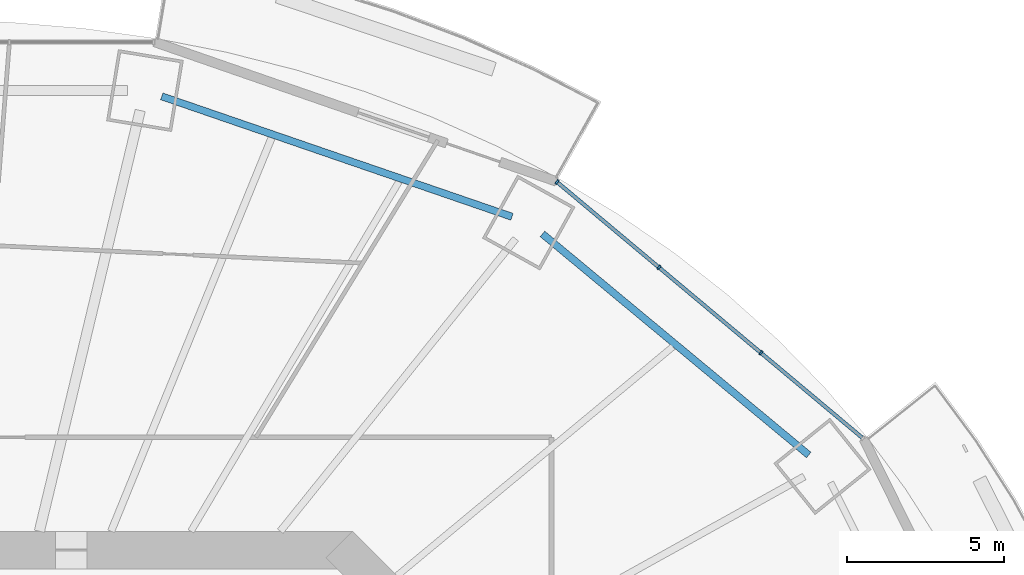
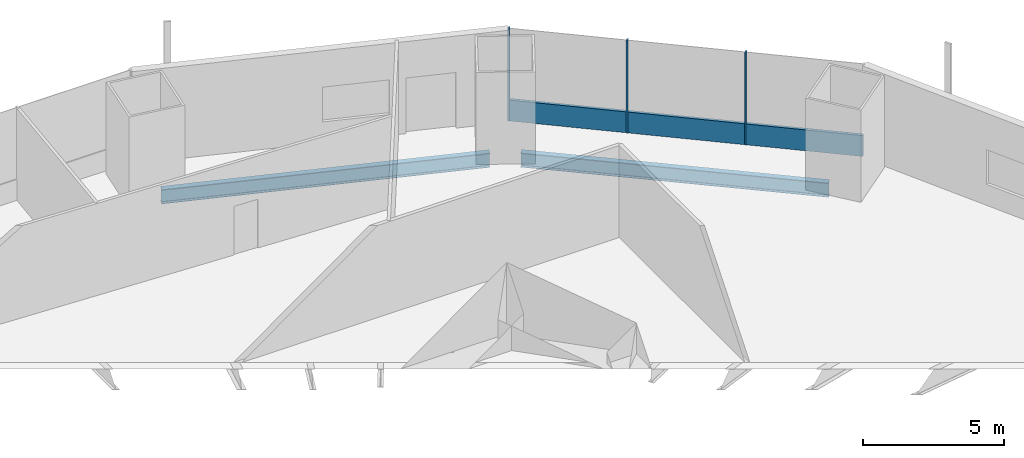
# One storey, part 10 of 22: 4 members, 2 beams, 1 element without a shape of its own.
"""IFC4 building model written with IfcOpenShell, lengths in metres."""

from ifc_helpers import new_model, si_unit, direction, frame, origin, origin_2d, place, context, subcontext, project, spatial, rectangle, i_section, extrude, material, material_profile, profile_set, type_object, element, aggregate, save


model = new_model("IFC4")

# Units and contexts
model_context = context("Model", 3, precision=1e-05, world=origin(), true_north=direction((0.0, 1.0)))
body_context = subcontext(model_context, "Body", "Model", "MODEL_VIEW")
ifc_project = project(units=[si_unit("LENGTHUNIT", "METRE"), si_unit("AREAUNIT", "SQUARE_METRE"), si_unit("VOLUMEUNIT", "CUBIC_METRE"), si_unit("PLANEANGLEUNIT", "RADIAN"), si_unit("MASSUNIT", "GRAM", prefix="KILO")], contexts=[model_context])

# Site, building, storey
site_placement = place(None, origin())
site = spatial("IfcSite", under=ifc_project, at=site_placement, CompositionType="ELEMENT")
building_placement = place(site_placement, origin())
building = spatial("IfcBuilding", under=site, at=building_placement, Name="Marenthal Gate Tower", CompositionType="ELEMENT")
storey_placement = place(building_placement, frame((0.0, 0.0, 70.35009765625)))
storey = spatial("IfcBuildingStorey", under=building, at=storey_placement, Name="L13", CompositionType="ELEMENT", Elevation=70.35009765625)

# Curtain wall, members
ifc_material_1 = material(Name="Aluminium and glass", Category="aluminium")
curtain_wall_type = type_object("IfcCurtainWallType", Name="Curtain wall typical low", PredefinedType="NOTDEFINED", material=ifc_material_1)
curtain_wall_placement = place(storey_placement, origin())
curtain_wall = element("IfcCurtainWall", 1, at=curtain_wall_placement, inside=storey, type_object=curtain_wall_type, Name="Curtain wall L13 bay 2", PredefinedType="NOTDEFINED")
ifc_material_2 = material(Name="Aluminium", Category="aluminium")
ifc_material_profile_1 = material_profile(ifc_material_2, rectangle(XDim=0.159912109375, YDim=0.06005859375, at=origin_2d()), Name="60x160 aluminium mullion")
ifc_profile_set_1 = profile_set([ifc_material_profile_1], Name="Aluminium")
member_type_1 = type_object("IfcMemberType", Name="Mullion 60x160 typical low", PredefinedType="MULLION", material=ifc_profile_set_1)
member_1_placement = place(storey_placement, frame((26.283935546875, 19.292724609375, 0.0), z_axis=(0.0, 0.0, 1.0), x_axis=(-0.642176178992, -0.76655707885, 0.0)))
member_1 = element("IfcMember", 2, at=member_1_placement, type_object=member_type_1, Name="Mullion L13 bay 2.2", PredefinedType="MULLION", context=body_context, shape_type="SweptSolid", body=[
    extrude(rectangle(XDim=0.159912109375, YDim=0.06005859375, at=origin_2d()), origin(), (0.0, 0.0, 1.0), 3.969970703125),
])
member_2_placement = place(storey_placement, frame((23.029541015625, 22.01904296875, 0.0), z_axis=(0.0, 0.0, 1.0), x_axis=(-0.642176178992, -0.76655707885, 0.0)))
member_2 = element("IfcMember", 3, at=member_2_placement, type_object=member_type_1, Name="Mullion L13 bay 2.3", PredefinedType="MULLION", context=body_context, shape_type="SweptSolid", body=[
    extrude(rectangle(XDim=0.159912109375, YDim=0.06005859375, at=origin_2d()), origin(), (0.0, 0.0, 1.0), 3.969970703125),
])
member_3_placement = place(storey_placement, frame((19.775146484375, 24.745361328125, 0.0), z_axis=(0.0, 0.0, 1.0), x_axis=(-0.642176178992, -0.76655707885, 0.0)))
member_3 = element("IfcMember", 4, at=member_3_placement, type_object=member_type_1, Name="Mullion L13 bay 2.4", PredefinedType="MULLION", context=body_context, shape_type="SweptSolid", body=[
    extrude(rectangle(XDim=0.159912109375, YDim=0.06005859375, at=origin_2d()), origin(), (0.0, 0.0, 1.0), 3.969970703125),
])
ifc_material_3 = material(Name="Aluminium", Category="aluminium")
ifc_material_profile_2 = material_profile(ifc_material_3, rectangle(XDim=0.1201171875, YDim=0.89990234375, at=origin_2d()), Name="120x900 aluminium transom")
ifc_profile_set_2 = profile_set([ifc_material_profile_2], Name="Aluminium")
member_type_2 = type_object("IfcMemberType", Name="Transom 120x900 typical low", PredefinedType="USERDEFINED", material=ifc_profile_set_2)
member_4_placement = place(storey_placement, frame((29.51513671875, 16.585693359375, 0.449951171875), z_axis=(-0.766556354324, 0.642177043849, 0.0), x_axis=(-0.642177043849, -0.766556354324, 0.0)))
member_4 = element("IfcMember", 5, at=member_4_placement, type_object=member_type_2, Name="Transom L13 bay 2", ObjectType="TRANSOM", PredefinedType="USERDEFINED", context=body_context, shape_type="SweptSolid", body=[
    extrude(rectangle(XDim=0.1201171875, YDim=0.89990234375, at=origin_2d()), origin(), (0.0, 0.0, 1.0), 12.67626953125),
])
aggregate(curtain_wall, [member_1, member_2, member_3, member_4])

# Beams
ifc_material_4 = material(Name="Steel S355", Category="steel")
ifc_material_profile_3 = material_profile(ifc_material_4, i_section(OverallWidth=0.22900390625, OverallDepth=0.612060546875, WebThickness=0.011962890625, FlangeThickness=0.01953125, FilletRadius=0.0126953125, at=origin_2d()), Name="W610X125")
ifc_profile_set_3 = profile_set([ifc_material_profile_3], Name="Steel S355")
beam_type = type_object("IfcBeamType", Name="W610X125 beam", PredefinedType="BEAM", material=ifc_profile_set_3)
beam_1_placement = place(storey_placement, frame((27.807861328125, 16.0341796875, -0.486083984375), z_axis=(-0.769405168871, 0.638761055571, 0.0), x_axis=(-0.638761055571, -0.769405168871, 0.0)))
element("IfcBeam", 6, at=beam_1_placement, inside=storey, type_object=beam_type, Name="BM-L13-42", PredefinedType="BEAM", context=body_context, shape_type="SweptSolid", body=[
    extrude(i_section(OverallWidth=0.22900390625, OverallDepth=0.612060546875, WebThickness=0.011962890625, FlangeThickness=0.01953125, FilletRadius=0.0126953125, at=origin_2d()), origin(), (0.0, 0.0, 1.0), 11.04248046875),
])
beam_2_placement = place(storey_placement, frame((18.3388671875, 23.635009765625, -0.486083984375), z_axis=(-0.94564769726, 0.325192916076, 0.0), x_axis=(-0.325192916076, -0.94564769726, 0.0)))
element("IfcBeam", 7, at=beam_2_placement, inside=storey, type_object=beam_type, Name="BM-L13-43", PredefinedType="BEAM", context=body_context, shape_type="SweptSolid", body=[
    extrude(i_section(OverallWidth=0.22900390625, OverallDepth=0.612060546875, WebThickness=0.011962890625, FlangeThickness=0.01953125, FilletRadius=0.0126953125, at=origin_2d()), origin(), (0.0, 0.0, 1.0), 11.819091796875),
])

save(model, "model.ifc")
